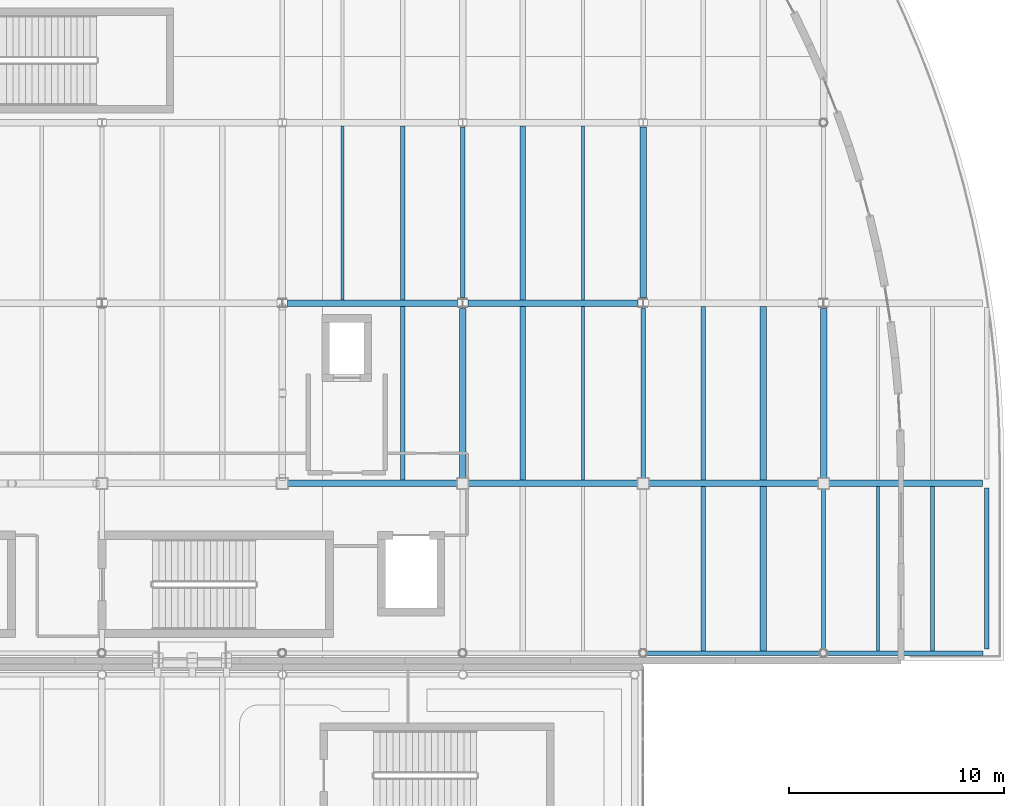
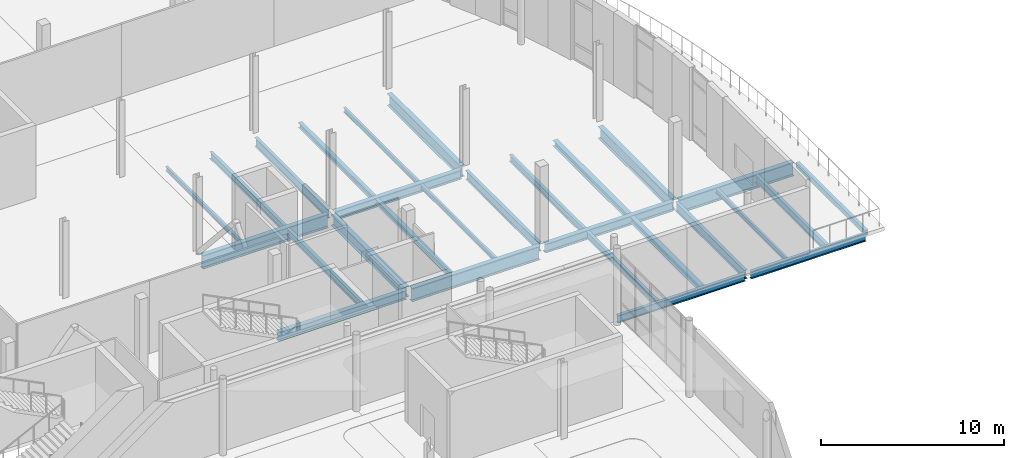
# One storey, part 45 of 103: 28 beams.
"""IFC4 building model written with IfcOpenShell, lengths in metres."""

import ifcopenshell
import ifcopenshell.guid

model = None  # the IFC model being written
_history = None  # IfcOwnerHistory: only IFC2X3 demands one
_inside = {}  # id of a spatial element -> (the spatial element, [elements in it])
_under = {}  # id of a project, library or spatial element -> (it, [spatial elements below it])
_declared = {}  # id of a project -> (the project, [libraries it declares])
_typed = {}  # id of a type object -> (the type object, [elements of that type])
_made_of = {}  # id of a material, layer set ... -> (it, [elements and type objects made of it])


def new_model(schema):
    """Start an empty IFC model of exactly this schema.

    Asked for "IFC4X3", IfcOpenShell would pick the latest addendum, in which some entities
    have other attributes; the version numbers below select the first issue.
    IFC2X3 requires an IfcOwnerHistory on every rooted entity: one is made here for all.
    """
    global model, _history
    if schema == "IFC4X3":
        model = ifcopenshell.file(schema_version=(4, 3, 0, 0))
    else:
        model = ifcopenshell.file(schema=schema)
    _inside.clear()
    _under.clear()
    _declared.clear()
    _typed.clear()
    _made_of.clear()
    _history = None
    if model.schema == "IFC2X3":
        org = make("IfcOrganization", Name="unknown")
        user = make(
            "IfcPersonAndOrganization",
            ThePerson=make("IfcPerson", FamilyName="unknown"),
            TheOrganization=org,
        )
        app = make(
            "IfcApplication",
            ApplicationDeveloper=org,
            Version="unknown",
            ApplicationFullName="unknown",
            ApplicationIdentifier="unknown",
        )
        _history = make(
            "IfcOwnerHistory",
            OwningUser=user,
            OwningApplication=app,
            ChangeAction="ADDED",
            CreationDate=0,
        )
    return model


def make(cls, **values):
    """One entity of the class cls with the attributes given. An attribute that is None is left unset."""
    return model.create_entity(
        cls, **{name: value for name, value in values.items() if value is not None}
    )


def rooted(cls, **values):
    """An entity with a GlobalId (a new one), such as an element, a storey or a relation."""
    return make(cls, GlobalId=ifcopenshell.guid.new(), OwnerHistory=_history, **values)


def si_unit(unit_type, name, prefix=None):
    """IfcSIUnit, for example si_unit("LENGTHUNIT", "METRE", prefix="MILLI")."""
    return make("IfcSIUnit", UnitType=unit_type, Prefix=prefix, Name=name)


def assignment(units):
    """IfcUnitAssignment: the units of a project."""
    return None if units is None else make("IfcUnitAssignment", Units=units)


def point(xyz):
    """IfcCartesianPoint."""
    return None if xyz is None else make("IfcCartesianPoint", Coordinates=xyz)


def direction(xyz):
    """IfcDirection."""
    return None if xyz is None else make("IfcDirection", DirectionRatios=xyz)


def frame(location, z_axis=None, x_axis=None):
    """IfcAxis2Placement3D, a coordinate frame: its origin and axes. An axis left out is left unset."""
    return make(
        "IfcAxis2Placement3D",
        Location=point(location),
        Axis=direction(z_axis),
        RefDirection=direction(x_axis),
    )


def frame_2d(location, x_axis=None):
    """IfcAxis2Placement2D, a coordinate frame in the plane: its origin and x axis."""
    return make(
        "IfcAxis2Placement2D", Location=point(location), RefDirection=direction(x_axis)
    )


def origin():
    """The frame at (0, 0, 0) with its axes left unset."""
    return frame((0.0, 0.0, 0.0))


def origin_2d():
    """The frame at (0, 0) in the plane with its x axis left unset."""
    return frame_2d((0.0, 0.0))


def place(relative_to, where):
    """IfcLocalPlacement: puts the frame where relative to a parent placement (None: the world)."""
    return make(
        "IfcLocalPlacement", PlacementRelTo=relative_to, RelativePlacement=where
    )


def context(
    kind, dimensions, precision=None, world=None, true_north=None, identifier=None
):
    """IfcGeometricRepresentationContext, for example the 3D "Model" context."""
    return make(
        "IfcGeometricRepresentationContext",
        ContextIdentifier=identifier,
        ContextType=kind,
        CoordinateSpaceDimension=dimensions,
        Precision=precision,
        WorldCoordinateSystem=world,
        TrueNorth=true_north,
    )


def subcontext(parent, identifier, kind, view, scale=None):
    """IfcGeometricRepresentationSubContext, for example "Body" below "Model"."""
    return make(
        "IfcGeometricRepresentationSubContext",
        ContextIdentifier=identifier,
        ContextType=kind,
        ParentContext=parent,
        TargetScale=scale,
        TargetView=view,
    )


def project(units=None, contexts=None):
    """IfcProject with its units and contexts."""
    return rooted(
        "IfcProject",
        Name="project",
        RepresentationContexts=contexts,
        UnitsInContext=assignment(units),
    )


def spatial(cls, under=None, at=None, **own):
    """A site, building, storey or space (cls), placed at a placement, below another one or the project."""
    s = rooted(cls, ObjectPlacement=at, **own)
    if under is not None:
        _under.setdefault(under.id(), (under, []))[1].append(s)
    return s


def profile(cls, at=None, kind="AREA", **sizes):
    """A parametric profile (cls). Its sizes go by their IFC names, for example OverallWidth=200.0."""
    return make(cls, ProfileType=kind, Position=at, **sizes)


def hollow_rectangle(**sizes):
    """IfcRectangleHollowProfileDef."""
    return profile("IfcRectangleHollowProfileDef", **sizes)


def i_section(**sizes):
    """IfcIShapeProfileDef."""
    return profile("IfcIShapeProfileDef", **sizes)


def extrude(swept, where, along, depth):
    """IfcExtrudedAreaSolid: the profile swept, set in the frame where, extruded along a direction by depth."""
    return make(
        "IfcExtrudedAreaSolid",
        SweptArea=swept,
        Position=where,
        ExtrudedDirection=direction(along),
        Depth=depth,
    )


def shape(context_of_items, identifier, shape_type, items):
    """IfcShapeRepresentation: the items that make up one representation, for example the "Body"."""
    return make(
        "IfcShapeRepresentation",
        ContextOfItems=context_of_items,
        RepresentationIdentifier=identifier,
        RepresentationType=shape_type,
        Items=items,
    )


def material(Name=None, Category=None):
    """IfcMaterial."""
    return make("IfcMaterial", Name=Name, Category=Category)


def material_profile(
    of_material, cross_section, Name=None, Category=None, Priority=None
):
    """IfcMaterialProfile: a cross section and its material."""
    return make(
        "IfcMaterialProfile",
        Name=Name,
        Material=of_material,
        Profile=cross_section,
        Priority=Priority,
        Category=Category,
    )


def profile_set(profiles, Name=None, composite=None):
    """IfcMaterialProfileSet."""
    return make(
        "IfcMaterialProfileSet",
        Name=Name,
        MaterialProfiles=profiles,
        CompositeProfile=composite,
    )


def made_of(thing, what):
    """Note that an element or type object is made of a material, layer set ...; save() writes the relation."""
    if what is not None:
        _made_of.setdefault(what.id(), (what, []))[1].append(thing)
    return thing


def type_object(cls, material=None, **own):
    """A type object (cls), such as IfcWallType, which elements share."""
    return made_of(rooted(cls, **own), material)


def element(
    cls,
    number,
    at=None,
    inside=None,
    cuts=None,
    type_object=None,
    material=None,
    context=None,
    identifier="Body",
    shape_type=None,
    held_by="IfcProductDefinitionShape",
    body=None,
    shapes=None,
    **own,
):
    """One element of the class cls, such as IfcWall. Its Tag is "e" and its number.

    at: its placement. inside: the storey or other place that contains it. cuts: it is an
    opening in that element (IfcRelVoidsElement). A single representation is given by context,
    identifier, shape_type and body (its items); several are given by shapes. held_by: the class
    of the entity that holds the representations. save() writes the other relations.
    """
    e = rooted(cls, Tag="e%d" % number, ObjectPlacement=at, **own)
    if body is not None:
        shapes = [shape(context, identifier, shape_type, body)]
    if shapes is not None:
        e.Representation = make(held_by, Representations=shapes)
    if inside is not None:
        _inside.setdefault(inside.id(), (inside, []))[1].append(e)
    if cuts is not None:
        rooted(
            "IfcRelVoidsElement", RelatingBuildingElement=cuts, RelatedOpeningElement=e
        )
    if type_object is not None:
        _typed.setdefault(type_object.id(), (type_object, []))[1].append(e)
    return made_of(e, material)


def aggregate(whole, parts):
    """IfcRelAggregates: a whole, such as a stair, and the parts it consists of."""
    return rooted("IfcRelAggregates", RelatingObject=whole, RelatedObjects=parts)


def save(model, path):
    """Write the relations noted so far, then the file.

    IfcRelAggregates (storeys below a building ...), IfcRelContainedInSpatialStructure (elements
    in a storey), IfcRelDefinesByType, IfcRelAssociatesMaterial and IfcRelDeclares: one each for
    every whole, place, type object, material and project.
    """
    for whole, parts in _under.values():
        aggregate(whole, parts)
    for where, things in _inside.values():
        rooted(
            "IfcRelContainedInSpatialStructure",
            RelatedElements=things,
            RelatingStructure=where,
        )
    for kind, things in _typed.values():
        rooted("IfcRelDefinesByType", RelatedObjects=things, RelatingType=kind)
    for what, things in _made_of.values():
        rooted("IfcRelAssociatesMaterial", RelatedObjects=things, RelatingMaterial=what)
    for by, libraries in _declared.values():
        rooted("IfcRelDeclares", RelatingContext=by, RelatedDefinitions=libraries)
    model.write(path)


model = new_model("IFC4")

# Units and contexts
model_context = context("Model", 3, precision=1e-05, world=origin(), true_north=direction((0.0, 1.0)))
body_context = subcontext(model_context, "Body", "Model", "MODEL_VIEW")
ifc_project = project(units=[si_unit("LENGTHUNIT", "METRE"), si_unit("AREAUNIT", "SQUARE_METRE"), si_unit("VOLUMEUNIT", "CUBIC_METRE"), si_unit("PLANEANGLEUNIT", "RADIAN"), si_unit("MASSUNIT", "GRAM", prefix="KILO"), si_unit("THERMODYNAMICTEMPERATUREUNIT", "KELVIN")], contexts=[model_context])

# Site, building, storey
site_placement = place(None, origin())
site = spatial("IfcSite", under=ifc_project, at=site_placement, CompositionType="ELEMENT")
building_placement = place(site_placement, origin())
building = spatial("IfcBuilding", under=site, at=building_placement, Name="Lustrewick Department Store", CompositionType="ELEMENT")
storey_placement = place(building_placement, frame((0.0, 0.0, 16.5)))
storey = spatial("IfcBuildingStorey", under=building, at=storey_placement, Name="L04", CompositionType="ELEMENT", Elevation=16.5)

# Beams
ifc_material_1 = material(Name="Structural steel Q355B", Category="steel")
ifc_material_profile_1 = material_profile(ifc_material_1, i_section(OverallWidth=0.198974609375, OverallDepth=0.49609375, WebThickness=0.009033203125, FlangeThickness=0.013916015625, FilletRadius=0.01611328125, at=origin_2d()), Name="HN 496x199x9x14")
ifc_profile_set_1 = profile_set([ifc_material_profile_1], Name="Structural steel Q355B")
beam_type_1 = type_object("IfcBeamType", Name="B02", PredefinedType="JOIST", material=ifc_profile_set_1)
beam_1_placement = place(storey_placement, frame((164.666748046875, 51.00048828125, -0.5029296875), z_axis=(0.0, 1.0, 0.0), x_axis=(-1.0, 0.0, 0.0)))
element("IfcBeam", 1, at=beam_1_placement, inside=storey, type_object=beam_type_1, Name="L04 V4 Secondary Joist B02", PredefinedType="JOIST", context=body_context, shape_type="SweptSolid", body=[
    extrude(i_section(OverallWidth=0.198974609375, OverallDepth=0.49609375, WebThickness=0.009033203125, FlangeThickness=0.013916015625, FilletRadius=0.01611328125, at=origin_2d()), origin(), (0.0, 0.0, 1.0), 7.6484375),
])
ifc_material_profile_2 = material_profile(ifc_material_1, i_section(OverallWidth=0.199951171875, OverallDepth=0.449951171875, WebThickness=0.009033203125, FlangeThickness=0.013916015625, FilletRadius=0.01611328125, at=origin_2d()), Name="HN 450x200x9x14")
ifc_profile_set_2 = profile_set([ifc_material_profile_2], Name="Structural steel Q355B")
beam_type_2 = type_object("IfcBeamType", Name="B03", PredefinedType="JOIST", material=ifc_profile_set_2)
beam_2_placement = place(storey_placement, frame((154.0, 51.00048828125, -0.47998046875), z_axis=(0.0, 1.0, 0.0), x_axis=(-1.0, 0.0, 0.0)))
element("IfcBeam", 2, at=beam_2_placement, inside=storey, type_object=beam_type_2, Name="L04 V4 Secondary Joist B03", PredefinedType="JOIST", context=body_context, shape_type="SweptSolid", body=[
    extrude(i_section(OverallWidth=0.199951171875, OverallDepth=0.449951171875, WebThickness=0.009033203125, FlangeThickness=0.013916015625, FilletRadius=0.01611328125, at=origin_2d()), origin(), (0.0, 0.0, 1.0), 7.6484375),
])
beam_3_placement = place(storey_placement, frame((140.0, 58.950927734375, -0.47998046875), z_axis=(0.0, 1.0, 0.0), x_axis=(-1.0, 0.0, 0.0)))
element("IfcBeam", 3, at=beam_3_placement, inside=storey, type_object=beam_type_2, Name="L04 V4 Secondary Joist B03", PredefinedType="JOIST", context=body_context, shape_type="SweptSolid", body=[
    extrude(i_section(OverallWidth=0.199951171875, OverallDepth=0.449951171875, WebThickness=0.009033203125, FlangeThickness=0.013916015625, FilletRadius=0.01611328125, at=origin_2d()), origin(), (0.0, 0.0, 1.0), 8.09912109375),
])
beam_4_placement = place(storey_placement, frame((154.0, 58.950927734375, -0.47998046875), z_axis=(0.0, 1.0, 0.0), x_axis=(-1.0, 0.0, 0.0)))
element("IfcBeam", 4, at=beam_4_placement, inside=storey, type_object=beam_type_2, Name="L04 V4 Secondary Joist B03", PredefinedType="JOIST", context=body_context, shape_type="SweptSolid", body=[
    extrude(i_section(OverallWidth=0.199951171875, OverallDepth=0.449951171875, WebThickness=0.009033203125, FlangeThickness=0.013916015625, FilletRadius=0.01611328125, at=origin_2d()), origin(), (0.0, 0.0, 1.0), 8.09814453125),
])
beam_5_placement = place(storey_placement, frame((140.0, 67.35009765625, -0.47998046875), z_axis=(0.0, 1.0, 0.0), x_axis=(-1.0, 0.0, 0.0)))
element("IfcBeam", 5, at=beam_5_placement, inside=storey, type_object=beam_type_2, Name="L04 V4 Secondary Joist B03", PredefinedType="JOIST", context=body_context, shape_type="SweptSolid", body=[
    extrude(i_section(OverallWidth=0.199951171875, OverallDepth=0.449951171875, WebThickness=0.009033203125, FlangeThickness=0.013916015625, FilletRadius=0.01611328125, at=origin_2d()), origin(), (0.0, 0.0, 1.0), 8.098876953125),
])
ifc_material_profile_3 = material_profile(ifc_material_1, i_section(OverallWidth=0.300048828125, OverallDepth=0.389892578125, WebThickness=0.010009765625, FlangeThickness=0.01611328125, FilletRadius=0.01806640625, at=origin_2d()), Name="HM 390x300x10x16")
ifc_profile_set_3 = profile_set([ifc_material_profile_3], Name="Structural steel Q355B")
beam_type_3 = type_object("IfcBeamType", Name="B07", PredefinedType="JOIST", material=ifc_profile_set_3)
beam_6_placement = place(storey_placement, frame((156.800048828125, 51.00048828125, -0.449951171875), z_axis=(0.0, 1.0, 0.0), x_axis=(-1.0, 0.0, 0.0)))
element("IfcBeam", 6, at=beam_6_placement, inside=storey, type_object=beam_type_3, Name="L04 V4 Secondary Joist B07", PredefinedType="JOIST", context=body_context, shape_type="SweptSolid", body=[
    extrude(i_section(OverallWidth=0.300048828125, OverallDepth=0.389892578125, WebThickness=0.010009765625, FlangeThickness=0.01611328125, FilletRadius=0.01806640625, at=origin_2d()), origin(), (0.0, 0.0, 1.0), 7.6484375),
])
beam_7_placement = place(storey_placement, frame((156.800048828125, 58.950927734375, -0.449951171875), z_axis=(0.0, 1.0, 0.0), x_axis=(-1.0, 0.0, 0.0)))
element("IfcBeam", 7, at=beam_7_placement, inside=storey, type_object=beam_type_3, Name="L04 V4 Secondary Joist B07", PredefinedType="JOIST", context=body_context, shape_type="SweptSolid", body=[
    extrude(i_section(OverallWidth=0.300048828125, OverallDepth=0.389892578125, WebThickness=0.010009765625, FlangeThickness=0.01611328125, FilletRadius=0.01806640625, at=origin_2d()), origin(), (0.0, 0.0, 1.0), 8.09814453125),
])
ifc_material_profile_4 = material_profile(ifc_material_1, i_section(OverallWidth=0.25, OverallDepth=0.340087890625, WebThickness=0.009033203125, FlangeThickness=0.013916015625, FilletRadius=0.01611328125, at=origin_2d()), Name="HM 340x250x9x14")
ifc_profile_set_4 = profile_set([ifc_material_profile_4], Name="Structural steel Q355B")
beam_type_4 = type_object("IfcBeamType", Name="B08", PredefinedType="JOIST", material=ifc_profile_set_4)
beam_8_placement = place(storey_placement, frame((145.60009765625, 58.949951171875, -0.425048828125), z_axis=(0.0, 1.0, 0.0), x_axis=(-1.0, 0.0, 0.0)))
element("IfcBeam", 8, at=beam_8_placement, inside=storey, type_object=beam_type_4, Name="L04 V4 Secondary Joist B08", PredefinedType="JOIST", context=body_context, shape_type="SweptSolid", body=[
    extrude(i_section(OverallWidth=0.25, OverallDepth=0.340087890625, WebThickness=0.009033203125, FlangeThickness=0.013916015625, FilletRadius=0.01611328125, at=origin_2d()), origin(), (0.0, 0.0, 1.0), 8.09912109375),
])
beam_9_placement = place(storey_placement, frame((145.60009765625, 67.35107421875, -0.425048828125), z_axis=(0.0, 1.0, 0.0), x_axis=(-1.0, 0.0, 0.0)))
element("IfcBeam", 9, at=beam_9_placement, inside=storey, type_object=beam_type_4, Name="L04 V4 Secondary Joist B08", PredefinedType="JOIST", context=body_context, shape_type="SweptSolid", body=[
    extrude(i_section(OverallWidth=0.25, OverallDepth=0.340087890625, WebThickness=0.009033203125, FlangeThickness=0.013916015625, FilletRadius=0.01611328125, at=origin_2d()), origin(), (0.0, 0.0, 1.0), 8.097900390625),
])
ifc_material_profile_5 = material_profile(ifc_material_1, i_section(OverallWidth=0.14990234375, OverallDepth=0.300048828125, WebThickness=0.006591796875, FlangeThickness=0.009033203125, FilletRadius=0.011962890625, at=origin_2d()), Name="HN 300x150x6.5x9")
ifc_profile_set_5 = profile_set([ifc_material_profile_5], Name="Structural steel Q355B")
beam_type_5 = type_object("IfcBeamType", Name="B11", PredefinedType="JOIST", material=ifc_profile_set_5)
beam_10_placement = place(storey_placement, frame((162.13330078125, 51.00048828125, -0.405029296875), z_axis=(0.0, 1.0, 0.0), x_axis=(-1.0, 0.0, 0.0)))
element("IfcBeam", 10, at=beam_10_placement, inside=storey, type_object=beam_type_5, Name="L04 V4 Secondary Joist B11", PredefinedType="JOIST", context=body_context, shape_type="SweptSolid", body=[
    extrude(i_section(OverallWidth=0.14990234375, OverallDepth=0.300048828125, WebThickness=0.006591796875, FlangeThickness=0.009033203125, FilletRadius=0.011962890625, at=origin_2d()), origin(), (0.0, 0.0, 1.0), 7.6484375),
])
beam_11_placement = place(storey_placement, frame((148.39990234375, 58.949951171875, -0.405029296875), z_axis=(0.0, 1.0, 0.0), x_axis=(-1.0, 0.0, 0.0)))
element("IfcBeam", 11, at=beam_11_placement, inside=storey, type_object=beam_type_5, Name="L04 V4 Secondary Joist B11", PredefinedType="JOIST", context=body_context, shape_type="SweptSolid", body=[
    extrude(i_section(OverallWidth=0.14990234375, OverallDepth=0.300048828125, WebThickness=0.006591796875, FlangeThickness=0.009033203125, FilletRadius=0.011962890625, at=origin_2d()), origin(), (0.0, 0.0, 1.0), 8.09912109375),
])
beam_12_placement = place(storey_placement, frame((148.39990234375, 67.35107421875, -0.405029296875), z_axis=(0.0, 1.0, 0.0), x_axis=(-1.0, 0.0, 0.0)))
element("IfcBeam", 12, at=beam_12_placement, inside=storey, type_object=beam_type_5, Name="L04 V4 Secondary Joist B11", PredefinedType="JOIST", context=body_context, shape_type="SweptSolid", body=[
    extrude(i_section(OverallWidth=0.14990234375, OverallDepth=0.300048828125, WebThickness=0.006591796875, FlangeThickness=0.009033203125, FilletRadius=0.011962890625, at=origin_2d()), origin(), (0.0, 0.0, 1.0), 8.097900390625),
])
ifc_material_profile_6 = material_profile(ifc_material_1, i_section(OverallWidth=0.14892578125, OverallDepth=0.298095703125, WebThickness=0.005615234375, FlangeThickness=0.008056640625, FilletRadius=0.011962890625, at=origin_2d()), Name="HN 298x149x5.5x8")
ifc_profile_set_6 = profile_set([ifc_material_profile_6], Name="Structural steel Q355B")
beam_type_6 = type_object("IfcBeamType", Name="B12", PredefinedType="JOIST", material=ifc_profile_set_6)
beam_13_placement = place(storey_placement, frame((137.199951171875, 67.35009765625, -0.404052734375), z_axis=(0.0, 1.0, 0.0), x_axis=(-1.0, 0.0, 0.0)))
element("IfcBeam", 13, at=beam_13_placement, inside=storey, type_object=beam_type_6, Name="L04 V4 Secondary Joist B12", PredefinedType="JOIST", context=body_context, shape_type="SweptSolid", body=[
    extrude(i_section(OverallWidth=0.14892578125, OverallDepth=0.298095703125, WebThickness=0.005615234375, FlangeThickness=0.008056640625, FilletRadius=0.011962890625, at=origin_2d()), origin(), (0.0, 0.0, 1.0), 8.098876953125),
])
ifc_material_2 = material(Name="Structural steel Q355C", Category="steel")
ifc_material_profile_7 = material_profile(ifc_material_2, i_section(OverallWidth=0.302001953125, OverallDepth=0.912109375, WebThickness=0.01806640625, FlangeThickness=0.033935546875, FilletRadius=0.02392578125, at=origin_2d()), Name="HN 912x302x18x34")
ifc_profile_set_7 = profile_set([ifc_material_profile_7], Name="Structural steel Q355C")
beam_type_7 = type_object("IfcBeamType", Name="G01", PredefinedType="BEAM", material=ifc_profile_set_7)
beam_14_placement = place(storey_placement, frame((159.77490234375, 58.800048828125, -0.7109375), z_axis=(1.0, 0.0, 0.0), x_axis=(0.0, 1.0, 0.0)))
element("IfcBeam", 14, at=beam_14_placement, inside=storey, type_object=beam_type_7, Name="L04 V4 Girder G01", PredefinedType="BEAM", context=body_context, shape_type="SweptSolid", body=[
    extrude(i_section(OverallWidth=0.302001953125, OverallDepth=0.912109375, WebThickness=0.01806640625, FlangeThickness=0.033935546875, FilletRadius=0.02392578125, at=origin_2d()), origin(), (0.0, 0.0, 1.0), 7.22216796875),
])
ifc_material_profile_8 = material_profile(ifc_material_2, i_section(OverallWidth=0.300048828125, OverallDepth=0.89990234375, WebThickness=0.01611328125, FlangeThickness=0.028076171875, FilletRadius=0.02392578125, at=origin_2d()), Name="HN 900x300x16x28")
ifc_profile_set_8 = profile_set([ifc_material_profile_8], Name="Structural steel Q355C")
beam_type_8 = type_object("IfcBeamType", Name="G02", PredefinedType="BEAM", material=ifc_profile_set_8)
beam_15_placement = place(storey_placement, frame((142.97509765625, 58.800048828125, -0.705078125), z_axis=(1.0, 0.0, 0.0), x_axis=(0.0, 1.0, 0.0)))
element("IfcBeam", 15, at=beam_15_placement, inside=storey, type_object=beam_type_8, Name="L04 V4 Girder G02", PredefinedType="BEAM", context=body_context, shape_type="SweptSolid", body=[
    extrude(i_section(OverallWidth=0.300048828125, OverallDepth=0.89990234375, WebThickness=0.01611328125, FlangeThickness=0.028076171875, FilletRadius=0.02392578125, at=origin_2d()), origin(), (0.0, 0.0, 1.0), 8.0498046875),
])
beam_16_placement = place(storey_placement, frame((134.64990234375, 67.199951171875, -0.705078125), z_axis=(1.0, 0.0, 0.0), x_axis=(0.0, 1.0, 0.0)))
element("IfcBeam", 16, at=beam_16_placement, inside=storey, type_object=beam_type_8, Name="L04 V4 Girder G02", PredefinedType="BEAM", context=body_context, shape_type="SweptSolid", body=[
    extrude(i_section(OverallWidth=0.300048828125, OverallDepth=0.89990234375, WebThickness=0.01611328125, FlangeThickness=0.028076171875, FilletRadius=0.02392578125, at=origin_2d()), origin(), (0.0, 0.0, 1.0), 7.900146484375),
])
ifc_material_profile_9 = material_profile(ifc_material_1, i_section(OverallWidth=0.300048828125, OverallDepth=0.7919921875, WebThickness=0.013916015625, FlangeThickness=0.02197265625, FilletRadius=0.02197265625, at=origin_2d()), Name="HN 792x300x14x22")
ifc_profile_set_9 = profile_set([ifc_material_profile_9], Name="Structural steel Q355B")
beam_type_9 = type_object("IfcBeamType", Name="G06", PredefinedType="BEAM", material=ifc_profile_set_9)
beam_17_placement = place(storey_placement, frame((151.199951171875, 67.449951171875, -0.65087890625), z_axis=(0.0, 1.0, 0.0), x_axis=(-1.0, 0.0, 0.0)))
element("IfcBeam", 17, at=beam_17_placement, inside=storey, type_object=beam_type_9, Name="L04 V4 Girder G06", PredefinedType="BEAM", context=body_context, shape_type="SweptSolid", body=[
    extrude(i_section(OverallWidth=0.300048828125, OverallDepth=0.7919921875, WebThickness=0.013916015625, FlangeThickness=0.02197265625, FilletRadius=0.02197265625, at=origin_2d()), origin(), (0.0, 0.0, 1.0), 7.9560546875),
])
beam_18_placement = place(storey_placement, frame((159.60009765625, 58.97509765625, -0.65087890625), z_axis=(0.0, 1.0, 0.0), x_axis=(-1.0, 0.0, 0.0)))
element("IfcBeam", 18, at=beam_18_placement, inside=storey, type_object=beam_type_9, Name="L04 V4 Girder G06", PredefinedType="BEAM", context=body_context, shape_type="SweptSolid", body=[
    extrude(i_section(OverallWidth=0.300048828125, OverallDepth=0.7919921875, WebThickness=0.013916015625, FlangeThickness=0.02197265625, FilletRadius=0.02197265625, at=origin_2d()), origin(), (0.0, 0.0, 1.0), 7.974853515625),
])
ifc_material_profile_10 = material_profile(ifc_material_2, i_section(OverallWidth=0.302001953125, OverallDepth=0.7080078125, WebThickness=0.014892578125, FlangeThickness=0.028076171875, FilletRadius=0.02001953125, at=origin_2d()), Name="HN 708x302x15x28")
ifc_profile_set_10 = profile_set([ifc_material_profile_10], Name="Structural steel Q355C")
beam_type_10 = type_object("IfcBeamType", Name="G07", PredefinedType="BEAM", material=ifc_profile_set_10)
beam_19_placement = place(storey_placement, frame((142.800048828125, 58.97509765625, -0.60888671875), z_axis=(0.0, 1.0, 0.0), x_axis=(-1.0, 0.0, 0.0)))
element("IfcBeam", 19, at=beam_19_placement, inside=storey, type_object=beam_type_10, Name="L04 V4 Girder G07", PredefinedType="BEAM", context=body_context, shape_type="SweptSolid", body=[
    extrude(i_section(OverallWidth=0.302001953125, OverallDepth=0.7080078125, WebThickness=0.014892578125, FlangeThickness=0.028076171875, FilletRadius=0.02001953125, at=origin_2d()), origin(), (0.0, 0.0, 1.0), 7.974853515625),
])
ifc_material_profile_11 = material_profile(ifc_material_1, i_section(OverallWidth=0.302001953125, OverallDepth=0.593994140625, WebThickness=0.013916015625, FlangeThickness=0.02294921875, FilletRadius=0.02392578125, at=origin_2d()), Name="HM 594x302x14x23")
ifc_profile_set_11 = profile_set([ifc_material_profile_11], Name="Structural steel Q355B")
beam_type_11 = type_object("IfcBeamType", Name="G10", PredefinedType="BEAM", material=ifc_profile_set_11)
for number, where, z_axis, x_axis, name in (
    (20, (134.574951171875, 58.800048828125, -0.552001953125), (1.0, 0.0, 0.0), (0.0, 1.0, 0.0), "L04 V4 Girder G10"),
    (21, (151.375, 58.800048828125, -0.552001953125), (1.0, 0.0, 0.0), (0.0, 1.0, 0.0), "L04 V4 Girder G10"),
):
    element("IfcBeam", number, at=place(storey_placement, frame(where, z_axis=z_axis, x_axis=x_axis)), inside=storey, type_object=beam_type_11, Name=name, PredefinedType="BEAM", context=body_context, shape_type="SweptSolid", body=[
        extrude(i_section(OverallWidth=0.302001953125, OverallDepth=0.593994140625, WebThickness=0.013916015625, FlangeThickness=0.02294921875, FilletRadius=0.02392578125, at=origin_2d()), origin(), (0.0, 0.0, 1.0), 8.050048828125),
    ])
beam_20_placement = place(storey_placement, frame((143.050048828125, 67.199951171875, -0.552001953125), z_axis=(1.0, 0.0, 0.0), x_axis=(0.0, 1.0, 0.0)))
element("IfcBeam", 22, at=beam_20_placement, inside=storey, type_object=beam_type_11, Name="L04 V4 Girder G10", PredefinedType="BEAM", context=body_context, shape_type="SweptSolid", body=[
    extrude(i_section(OverallWidth=0.302001953125, OverallDepth=0.593994140625, WebThickness=0.013916015625, FlangeThickness=0.02294921875, FilletRadius=0.02392578125, at=origin_2d()), origin(), (0.0, 0.0, 1.0), 7.89990234375),
])
ifc_material_profile_12 = material_profile(ifc_material_1, i_section(OverallWidth=0.198974609375, OverallDepth=0.595947265625, WebThickness=0.010009765625, FlangeThickness=0.014892578125, FilletRadius=0.01806640625, at=origin_2d()), Name="HN 596x199x10x15")
ifc_profile_set_12 = profile_set([ifc_material_profile_12], Name="Structural steel Q355B")
beam_type_12 = type_object("IfcBeamType", Name="G15", PredefinedType="BEAM", material=ifc_profile_set_12)
beam_21_placement = place(storey_placement, frame((142.800048828125, 67.449951171875, -0.552978515625), z_axis=(0.0, 1.0, 0.0), x_axis=(-1.0, 0.0, 0.0)))
element("IfcBeam", 23, at=beam_21_placement, inside=storey, type_object=beam_type_12, Name="L04 V4 Girder G15", PredefinedType="BEAM", context=body_context, shape_type="SweptSolid", body=[
    extrude(i_section(OverallWidth=0.198974609375, OverallDepth=0.595947265625, WebThickness=0.010009765625, FlangeThickness=0.014892578125, FilletRadius=0.01806640625, at=origin_2d()), origin(), (0.0, 0.0, 1.0), 7.9560546875),
])
beam_22_placement = place(storey_placement, frame((151.199951171875, 58.97509765625, -0.552978515625), z_axis=(0.0, 1.0, 0.0), x_axis=(-1.0, 0.0, 0.0)))
element("IfcBeam", 24, at=beam_22_placement, inside=storey, type_object=beam_type_12, Name="L04 V4 Girder G15", PredefinedType="BEAM", context=body_context, shape_type="SweptSolid", body=[
    extrude(i_section(OverallWidth=0.198974609375, OverallDepth=0.595947265625, WebThickness=0.010009765625, FlangeThickness=0.014892578125, FilletRadius=0.01806640625, at=origin_2d()), origin(), (0.0, 0.0, 1.0), 7.974853515625),
])
beam_23_placement = place(storey_placement, frame((159.60009765625, 51.08837890625, -0.552978515625), z_axis=(0.0, 1.0, 0.0), x_axis=(-1.0, 0.0, 0.0)))
element("IfcBeam", 25, at=beam_23_placement, inside=storey, type_object=beam_type_12, Name="L04 V4 Girder G15", PredefinedType="BEAM", context=body_context, shape_type="SweptSolid", body=[
    extrude(i_section(OverallWidth=0.198974609375, OverallDepth=0.595947265625, WebThickness=0.010009765625, FlangeThickness=0.014892578125, FilletRadius=0.01806640625, at=origin_2d()), origin(), (0.0, 0.0, 1.0), 7.53662109375),
])
ifc_material_profile_13 = material_profile(ifc_material_1, i_section(OverallWidth=0.200927734375, OverallDepth=0.506103515625, WebThickness=0.010986328125, FlangeThickness=0.01904296875, FilletRadius=0.01611328125, at=origin_2d()), Name="HN 506x201x11x19")
ifc_profile_set_13 = profile_set([ifc_material_profile_13], Name="Structural steel Q355B")
beam_type_13 = type_object("IfcBeamType", Name="SP01", PredefinedType="SPANDREL", material=ifc_profile_set_13)
beam_24_placement = place(storey_placement, frame((151.388427734375, 50.89990234375, -0.508056640625), z_axis=(1.0, 0.0, 0.0), x_axis=(0.0, 1.0, 0.0)))
element("IfcBeam", 26, at=beam_24_placement, inside=storey, type_object=beam_type_13, Name="L04 V4 Girder SP01", PredefinedType="SPANDREL", context=body_context, shape_type="SweptSolid", body=[
    extrude(i_section(OverallWidth=0.200927734375, OverallDepth=0.506103515625, WebThickness=0.010986328125, FlangeThickness=0.01904296875, FilletRadius=0.01611328125, at=origin_2d()), origin(), (0.0, 0.0, 1.0), 8.023193359375),
])
beam_25_placement = place(storey_placement, frame((159.78857421875, 50.89990234375, -0.508056640625), z_axis=(1.0, 0.0, 0.0), x_axis=(0.0, 1.0, 0.0)))
element("IfcBeam", 27, at=beam_25_placement, inside=storey, type_object=beam_type_13, Name="L04 V4 Girder SP01", PredefinedType="SPANDREL", context=body_context, shape_type="SweptSolid", body=[
    extrude(i_section(OverallWidth=0.200927734375, OverallDepth=0.506103515625, WebThickness=0.010986328125, FlangeThickness=0.01904296875, FilletRadius=0.01611328125, at=origin_2d()), origin(), (0.0, 0.0, 1.0), 7.222900390625),
])
ifc_material_profile_14 = material_profile(ifc_material_2, hollow_rectangle(XDim=0.199951171875, YDim=0.35009765625, WallThickness=0.011962890625, at=origin_2d()), Name="RHS 350x200x12")
ifc_profile_set_14 = profile_set([ifc_material_profile_14], Name="Structural steel Q355C")
beam_type_14 = type_object("IfcBeamType", Name="SP03", PredefinedType="SPANDREL", material=ifc_profile_set_14)
beam_26_placement = place(storey_placement, frame((167.199951171875, 51.08837890625, -0.429931640625), z_axis=(0.0, 1.0, 0.0), x_axis=(-1.0, 0.0, 0.0)))
element("IfcBeam", 28, at=beam_26_placement, inside=storey, type_object=beam_type_14, Name="L04 V4 Girder SP03", PredefinedType="SPANDREL", context=body_context, shape_type="SweptSolid", body=[
    extrude(hollow_rectangle(XDim=0.199951171875, YDim=0.35009765625, WallThickness=0.011962890625, at=origin_2d()), origin(), (0.0, 0.0, 1.0), 7.508544921875),
])

save(model, "model.ifc")
